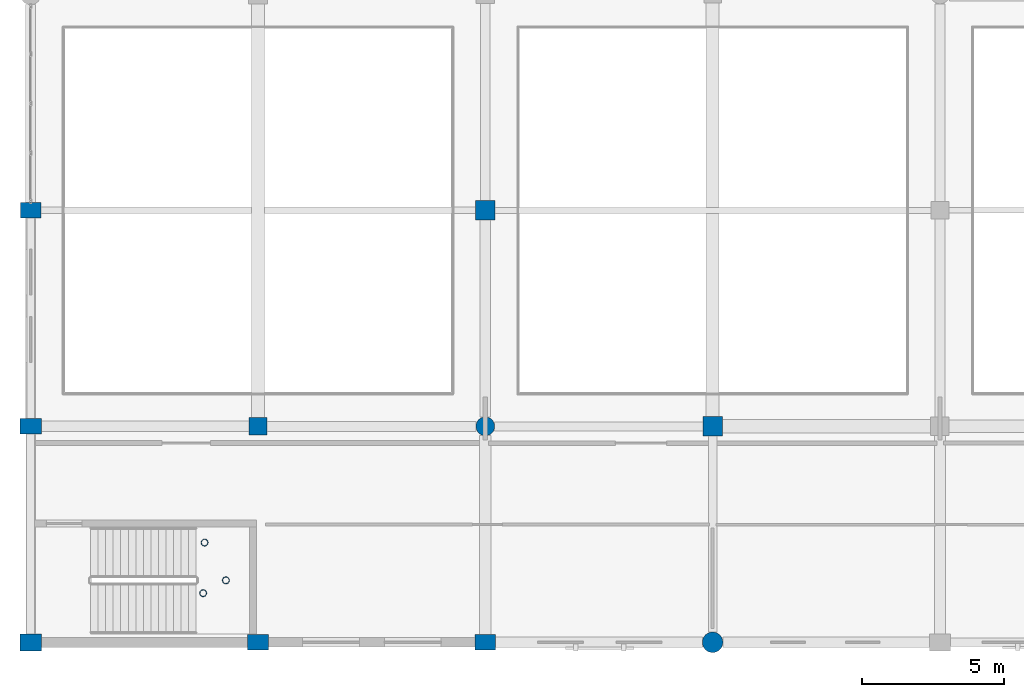
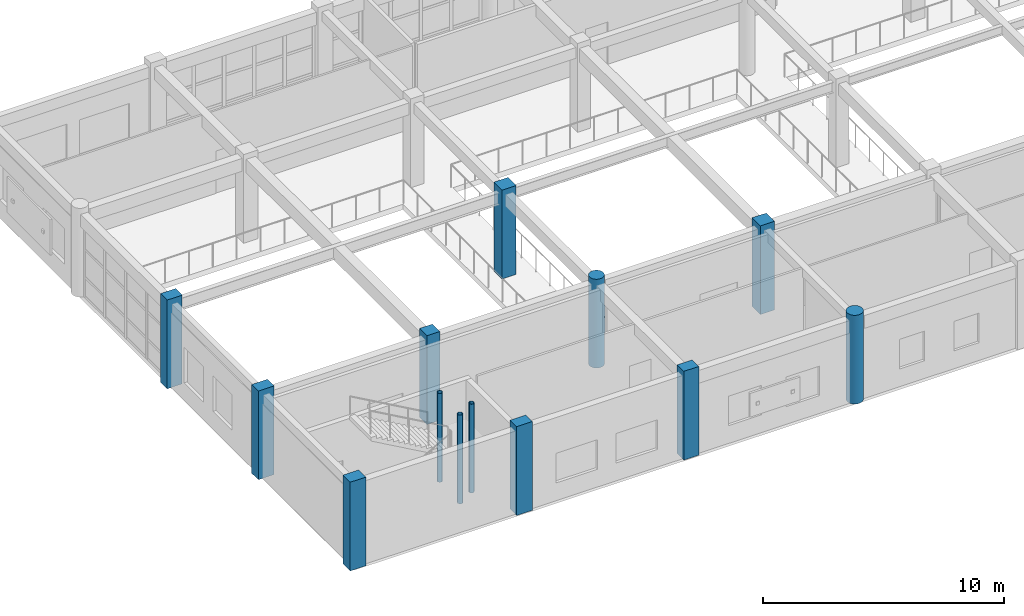
# One storey, part 1 of 160: 13 columns.
"""IFC4 building model written with IfcOpenShell, lengths in metres."""

from ifc_helpers import new_model, si_unit, direction, frame, origin, origin_with_axes, origin_2d, place, context, subcontext, project, spatial, rectangle, circle, hollow_circle, extrude, material, material_profile, profile_set, type_object, element, save


model = new_model("IFC4")

# Units and contexts
model_context = context("Model", 3, precision=1e-05, world=origin(), true_north=direction((0.0, 1.0)))
body_context = subcontext(model_context, "Body", "Model", "MODEL_VIEW")
ifc_project = project(units=[si_unit("LENGTHUNIT", "METRE"), si_unit("AREAUNIT", "SQUARE_METRE"), si_unit("VOLUMEUNIT", "CUBIC_METRE"), si_unit("PLANEANGLEUNIT", "RADIAN"), si_unit("MASSUNIT", "GRAM", prefix="KILO")], contexts=[model_context])

# Site, building, storey
site_placement = place(None, origin())
site = spatial("IfcSite", under=ifc_project, at=site_placement, CompositionType="ELEMENT")
building_placement = place(site_placement, origin())
building = spatial("IfcBuilding", under=site, at=building_placement, Name="Kharva Crest Polytechnic", CompositionType="ELEMENT")
storey_placement = place(building_placement, frame((0.0, 0.0, 4.5)))
storey = spatial("IfcBuildingStorey", under=building, at=storey_placement, Name="L01", CompositionType="ELEMENT", Elevation=4.5)

# Columns
ifc_material_1 = material(Name="Concrete C40/50", Category="concrete")
ifc_material_profile_1 = material_profile(ifc_material_1, rectangle(XDim=0.719970703125, YDim=0.550048828125, at=origin_2d()), Name="RECT 720 X 550")
ifc_profile_set_1 = profile_set([ifc_material_profile_1], Name="Concrete C40/50")
column_type_1 = type_object("IfcColumnType", Name="COL-EXT-720X550", PredefinedType="COLUMN", material=ifc_profile_set_1)
for number, where, z_axis, x_axis, name in (
    (1, (0.0, 15.199951171875, 0.0), (0.0, 0.0, 1.0), (1.0, 0.0, 0.0), "L01 Column 1/C"),
    (2, (16.0, 0.0, 0.0), (0.0, 0.0, 1.0), (1.0, 0.0, 0.0), "L01 Column 3/A"),
):
    element("IfcColumn", number, at=place(storey_placement, frame(where, z_axis=z_axis, x_axis=x_axis)), inside=storey, type_object=column_type_1, Name=name, PredefinedType="COLUMN", context=body_context, shape_type="SweptSolid", body=[
        extrude(rectangle(XDim=0.719970703125, YDim=0.550048828125, at=origin_2d()), origin(), (0.0, 0.0, 1.0), 4.5),
    ])
ifc_material_profile_2 = material_profile(ifc_material_1, rectangle(XDim=0.75, YDim=0.550048828125, at=origin_2d()), Name="RECT 750 X 550")
ifc_profile_set_2 = profile_set([ifc_material_profile_2], Name="Concrete C40/50")
column_type_2 = type_object("IfcColumnType", Name="COL-EXT-750X550", PredefinedType="COLUMN", material=ifc_profile_set_2)
for number, where, z_axis, x_axis, name in (
    (3, (0.0, 7.60009765625, 0.0), (0.0, 0.0, 1.0), (1.0, 0.0, 0.0), "L01 Column 1/B"),
    (4, (8.0, 0.0, 0.0), (0.0, 0.0, 1.0), (1.0, 0.0, 0.0), "L01 Column 2/A"),
):
    element("IfcColumn", number, at=place(storey_placement, frame(where, z_axis=z_axis, x_axis=x_axis)), inside=storey, type_object=column_type_2, Name=name, PredefinedType="COLUMN", context=body_context, shape_type="SweptSolid", body=[
        extrude(rectangle(XDim=0.75, YDim=0.550048828125, at=origin_2d()), origin(), (0.0, 0.0, 1.0), 4.5),
    ])
ifc_material_profile_3 = material_profile(ifc_material_1, rectangle(XDim=0.75, YDim=0.60009765625, at=origin_2d()), Name="RECT 750 X 600")
ifc_profile_set_3 = profile_set([ifc_material_profile_3], Name="Concrete C40/50")
column_type_3 = type_object("IfcColumnType", Name="COL-EXT-750X600", PredefinedType="COLUMN", material=ifc_profile_set_3)
column_1_placement = place(storey_placement, origin_with_axes())
element("IfcColumn", 5, at=column_1_placement, inside=storey, type_object=column_type_3, Name="L01 Column 1/A", PredefinedType="COLUMN", context=body_context, shape_type="SweptSolid", body=[
    extrude(rectangle(XDim=0.75, YDim=0.60009765625, at=origin_2d()), origin(), (0.0, 0.0, 1.0), 4.5),
])
ifc_material_profile_4 = material_profile(ifc_material_1, circle(Radius=0.360107421875, at=origin_2d()), Name="DIA 720")
ifc_profile_set_4 = profile_set([ifc_material_profile_4], Name="Concrete C40/50")
column_type_4 = type_object("IfcColumnType", Name="COL-EXT-DIA720", PredefinedType="COLUMN", material=ifc_profile_set_4)
column_2_placement = place(storey_placement, frame((24.0, 0.0, 0.0), z_axis=(0.0, 0.0, 1.0), x_axis=(1.0, 0.0, 0.0)))
element("IfcColumn", 6, at=column_2_placement, inside=storey, type_object=column_type_4, Name="L01 Column 4/A", PredefinedType="COLUMN", context=body_context, shape_type="SweptSolid", body=[
    extrude(circle(Radius=0.360107421875, at=origin_2d()), origin(), (0.0, 0.0, 1.0), 4.5),
])
ifc_material_profile_5 = material_profile(ifc_material_1, rectangle(XDim=0.6201171875, YDim=0.6201171875, at=origin_2d()), Name="RECT 620 X 620")
ifc_profile_set_5 = profile_set([ifc_material_profile_5], Name="Concrete C40/50")
column_type_5 = type_object("IfcColumnType", Name="COL-INT-620X620", PredefinedType="COLUMN", material=ifc_profile_set_5)
column_3_placement = place(storey_placement, frame((8.0, 7.60009765625, 0.0), z_axis=(0.0, 0.0, 1.0), x_axis=(1.0, 0.0, 0.0)))
element("IfcColumn", 7, at=column_3_placement, inside=storey, type_object=column_type_5, Name="L01 Column 2/B", PredefinedType="COLUMN", context=body_context, shape_type="SweptSolid", body=[
    extrude(rectangle(XDim=0.6201171875, YDim=0.6201171875, at=origin_2d()), origin(), (0.0, 0.0, 1.0), 4.5),
])
ifc_material_profile_6 = material_profile(ifc_material_1, rectangle(XDim=0.679931640625, YDim=0.679931640625, at=origin_2d()), Name="RECT 680 X 680")
ifc_profile_set_6 = profile_set([ifc_material_profile_6], Name="Concrete C40/50")
column_type_6 = type_object("IfcColumnType", Name="COL-INT-680X680", PredefinedType="COLUMN", material=ifc_profile_set_6)
for number, where, z_axis, x_axis, name in (
    (8, (16.0, 15.199951171875, 0.0), (0.0, 0.0, 1.0), (1.0, 0.0, 0.0), "L01 Column 3/C"),
    (9, (24.0, 7.60009765625, 0.0), (0.0, 0.0, 1.0), (1.0, 0.0, 0.0), "L01 Column 4/B"),
):
    element("IfcColumn", number, at=place(storey_placement, frame(where, z_axis=z_axis, x_axis=x_axis)), inside=storey, type_object=column_type_6, Name=name, PredefinedType="COLUMN", context=body_context, shape_type="SweptSolid", body=[
        extrude(rectangle(XDim=0.679931640625, YDim=0.679931640625, at=origin_2d()), origin(), (0.0, 0.0, 1.0), 4.5),
    ])
ifc_material_profile_7 = material_profile(ifc_material_1, circle(Radius=0.330078125, at=origin_2d()), Name="DIA 660")
ifc_profile_set_7 = profile_set([ifc_material_profile_7], Name="Concrete C40/50")
column_type_7 = type_object("IfcColumnType", Name="COL-INT-DIA660", PredefinedType="COLUMN", material=ifc_profile_set_7)
column_4_placement = place(storey_placement, frame((16.0, 7.60009765625, 0.0), z_axis=(0.0, 0.0, 1.0), x_axis=(1.0, 0.0, 0.0)))
element("IfcColumn", 10, at=column_4_placement, inside=storey, type_object=column_type_7, Name="L01 Column 3/B", PredefinedType="COLUMN", context=body_context, shape_type="SweptSolid", body=[
    extrude(circle(Radius=0.330078125, at=origin_2d()), origin(), (0.0, 0.0, 1.0), 4.5),
])
ifc_material_2 = material(Name="Steel S355", Category="steel")
ifc_material_profile_8 = material_profile(ifc_material_2, hollow_circle(Radius=0.122314453125, WallThickness=0.010009765625, at=origin_2d()), Name="CHS 244.5X10.0")
ifc_profile_set_8 = profile_set([ifc_material_profile_8], Name="Steel S355")
column_type_8 = type_object("IfcColumnType", Name="COL-STL-CHS244", PredefinedType="COLUMN", material=ifc_profile_set_8)
for number, where, z_axis, x_axis, name in (
    (11, (6.070068359375, 1.72998046875, 0.0), (0.0, 0.0, 1.0), (1.0, 0.0, 0.0), "L01 Stair ST-10 Landing Support Column SW"),
    (12, (6.1201171875, 3.510009765625, 0.0), (0.0, 0.0, 1.0), (1.0, 0.0, 0.0), "L01 Stair ST-10 Landing Support Column NW"),
    (13, (6.8701171875, 2.179931640625, 0.0), (0.0, 0.0, 1.0), (1.0, 0.0, 0.0), "L01 Stair ST-10 Landing Support Column EM"),
):
    element("IfcColumn", number, at=place(storey_placement, frame(where, z_axis=z_axis, x_axis=x_axis)), inside=storey, type_object=column_type_8, Name=name, PredefinedType="COLUMN", context=body_context, shape_type="SweptSolid", body=[
        extrude(hollow_circle(Radius=0.122314453125, WallThickness=0.010009765625, at=origin_2d()), origin(), (0.0, 0.0, 1.0), 4.5),
    ])

save(model, "model.ifc")
